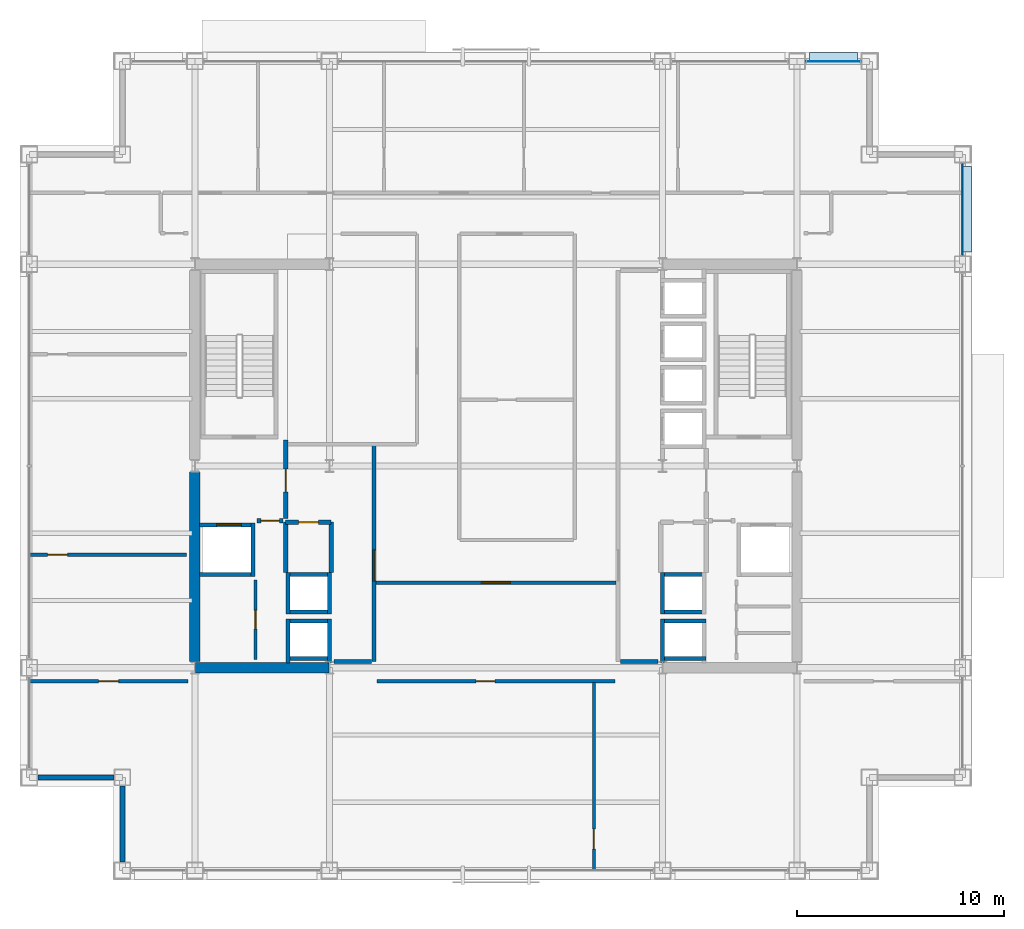
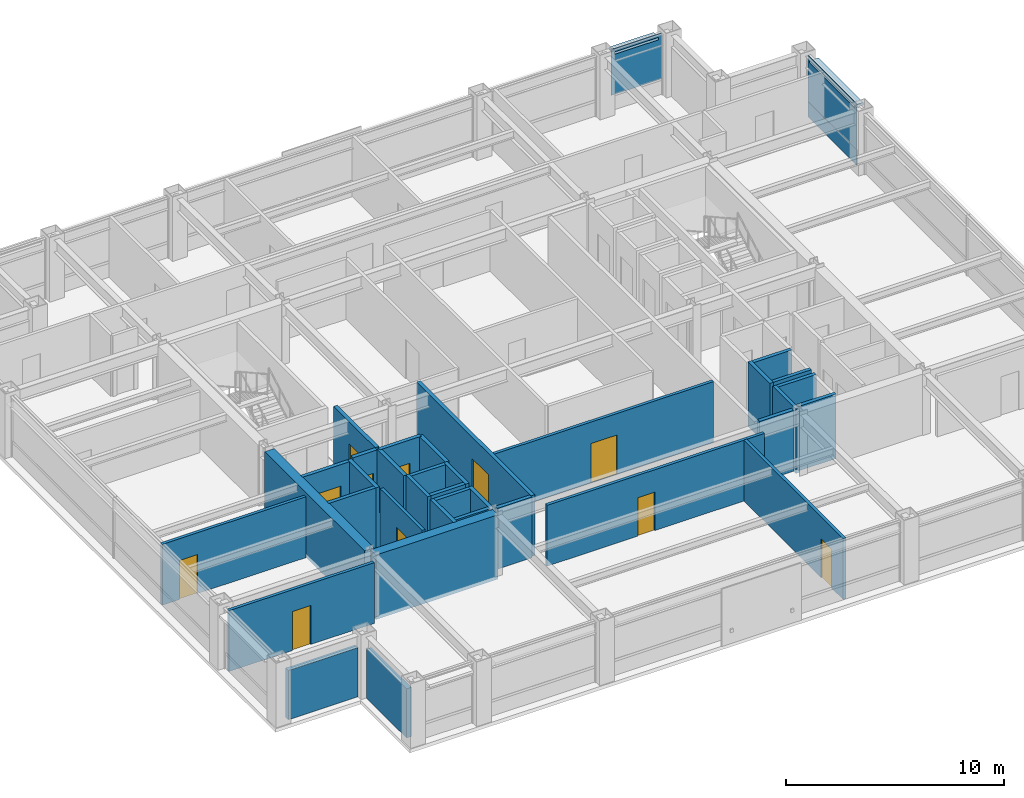
# One storey, part 24 of 28: 35 walls, 11 doors, 5 plates, 11 openings, 2 elements without a shape of their own.
"""IFC4 building model written with IfcOpenShell, lengths in metres."""

import ifcopenshell
import ifcopenshell.guid

model = None  # the IFC model being written
_history = None  # IfcOwnerHistory: only IFC2X3 demands one
_inside = {}  # id of a spatial element -> (the spatial element, [elements in it])
_under = {}  # id of a project, library or spatial element -> (it, [spatial elements below it])
_declared = {}  # id of a project -> (the project, [libraries it declares])
_typed = {}  # id of a type object -> (the type object, [elements of that type])
_made_of = {}  # id of a material, layer set ... -> (it, [elements and type objects made of it])


def new_model(schema):
    """Start an empty IFC model of exactly this schema.

    Asked for "IFC4X3", IfcOpenShell would pick the latest addendum, in which some entities
    have other attributes; the version numbers below select the first issue.
    IFC2X3 requires an IfcOwnerHistory on every rooted entity: one is made here for all.
    """
    global model, _history
    if schema == "IFC4X3":
        model = ifcopenshell.file(schema_version=(4, 3, 0, 0))
    else:
        model = ifcopenshell.file(schema=schema)
    _inside.clear()
    _under.clear()
    _declared.clear()
    _typed.clear()
    _made_of.clear()
    _history = None
    if model.schema == "IFC2X3":
        org = make("IfcOrganization", Name="unknown")
        user = make(
            "IfcPersonAndOrganization",
            ThePerson=make("IfcPerson", FamilyName="unknown"),
            TheOrganization=org,
        )
        app = make(
            "IfcApplication",
            ApplicationDeveloper=org,
            Version="unknown",
            ApplicationFullName="unknown",
            ApplicationIdentifier="unknown",
        )
        _history = make(
            "IfcOwnerHistory",
            OwningUser=user,
            OwningApplication=app,
            ChangeAction="ADDED",
            CreationDate=0,
        )
    return model


def make(cls, **values):
    """One entity of the class cls with the attributes given. An attribute that is None is left unset."""
    return model.create_entity(
        cls, **{name: value for name, value in values.items() if value is not None}
    )


def rooted(cls, **values):
    """An entity with a GlobalId (a new one), such as an element, a storey or a relation."""
    return make(cls, GlobalId=ifcopenshell.guid.new(), OwnerHistory=_history, **values)


def si_unit(unit_type, name, prefix=None):
    """IfcSIUnit, for example si_unit("LENGTHUNIT", "METRE", prefix="MILLI")."""
    return make("IfcSIUnit", UnitType=unit_type, Prefix=prefix, Name=name)


def assignment(units):
    """IfcUnitAssignment: the units of a project."""
    return None if units is None else make("IfcUnitAssignment", Units=units)


def point(xyz):
    """IfcCartesianPoint."""
    return None if xyz is None else make("IfcCartesianPoint", Coordinates=xyz)


def direction(xyz):
    """IfcDirection."""
    return None if xyz is None else make("IfcDirection", DirectionRatios=xyz)


def frame(location, z_axis=None, x_axis=None):
    """IfcAxis2Placement3D, a coordinate frame: its origin and axes. An axis left out is left unset."""
    return make(
        "IfcAxis2Placement3D",
        Location=point(location),
        Axis=direction(z_axis),
        RefDirection=direction(x_axis),
    )


def frame_2d(location, x_axis=None):
    """IfcAxis2Placement2D, a coordinate frame in the plane: its origin and x axis."""
    return make(
        "IfcAxis2Placement2D", Location=point(location), RefDirection=direction(x_axis)
    )


def origin():
    """The frame at (0, 0, 0) with its axes left unset."""
    return frame((0.0, 0.0, 0.0))


def origin_2d():
    """The frame at (0, 0) in the plane with its x axis left unset."""
    return frame_2d((0.0, 0.0))


def place(relative_to, where):
    """IfcLocalPlacement: puts the frame where relative to a parent placement (None: the world)."""
    return make(
        "IfcLocalPlacement", PlacementRelTo=relative_to, RelativePlacement=where
    )


def context(
    kind, dimensions, precision=None, world=None, true_north=None, identifier=None
):
    """IfcGeometricRepresentationContext, for example the 3D "Model" context."""
    return make(
        "IfcGeometricRepresentationContext",
        ContextIdentifier=identifier,
        ContextType=kind,
        CoordinateSpaceDimension=dimensions,
        Precision=precision,
        WorldCoordinateSystem=world,
        TrueNorth=true_north,
    )


def subcontext(parent, identifier, kind, view, scale=None):
    """IfcGeometricRepresentationSubContext, for example "Body" below "Model"."""
    return make(
        "IfcGeometricRepresentationSubContext",
        ContextIdentifier=identifier,
        ContextType=kind,
        ParentContext=parent,
        TargetScale=scale,
        TargetView=view,
    )


def project(units=None, contexts=None):
    """IfcProject with its units and contexts."""
    return rooted(
        "IfcProject",
        Name="project",
        RepresentationContexts=contexts,
        UnitsInContext=assignment(units),
    )


def spatial(cls, under=None, at=None, **own):
    """A site, building, storey or space (cls), placed at a placement, below another one or the project."""
    s = rooted(cls, ObjectPlacement=at, **own)
    if under is not None:
        _under.setdefault(under.id(), (under, []))[1].append(s)
    return s


def profile(cls, at=None, kind="AREA", **sizes):
    """A parametric profile (cls). Its sizes go by their IFC names, for example OverallWidth=200.0."""
    return make(cls, ProfileType=kind, Position=at, **sizes)


def rectangle(**sizes):
    """IfcRectangleProfileDef."""
    return profile("IfcRectangleProfileDef", **sizes)


def extrude(swept, where, along, depth):
    """IfcExtrudedAreaSolid: the profile swept, set in the frame where, extruded along a direction by depth."""
    return make(
        "IfcExtrudedAreaSolid",
        SweptArea=swept,
        Position=where,
        ExtrudedDirection=direction(along),
        Depth=depth,
    )


def shape(context_of_items, identifier, shape_type, items):
    """IfcShapeRepresentation: the items that make up one representation, for example the "Body"."""
    return make(
        "IfcShapeRepresentation",
        ContextOfItems=context_of_items,
        RepresentationIdentifier=identifier,
        RepresentationType=shape_type,
        Items=items,
    )


def material(Name=None, Category=None):
    """IfcMaterial."""
    return make("IfcMaterial", Name=Name, Category=Category)


def layer(
    of_material, thickness, ventilated=None, Name=None, Category=None, Priority=None
):
    """IfcMaterialLayer: one layer of a wall or slab, of a material (None: an air gap)."""
    return make(
        "IfcMaterialLayer",
        Material=of_material,
        LayerThickness=thickness,
        IsVentilated=ventilated,
        Name=Name,
        Category=Category,
        Priority=Priority,
    )


def layer_set(layers, Name=None):
    """IfcMaterialLayerSet."""
    return make("IfcMaterialLayerSet", MaterialLayers=layers, LayerSetName=Name)


def made_of(thing, what):
    """Note that an element or type object is made of a material, layer set ...; save() writes the relation."""
    if what is not None:
        _made_of.setdefault(what.id(), (what, []))[1].append(thing)
    return thing


def type_object(cls, material=None, **own):
    """A type object (cls), such as IfcWallType, which elements share."""
    return made_of(rooted(cls, **own), material)


def element(
    cls,
    number,
    at=None,
    inside=None,
    cuts=None,
    type_object=None,
    material=None,
    context=None,
    identifier="Body",
    shape_type=None,
    held_by="IfcProductDefinitionShape",
    body=None,
    shapes=None,
    **own,
):
    """One element of the class cls, such as IfcWall. Its Tag is "e" and its number.

    at: its placement. inside: the storey or other place that contains it. cuts: it is an
    opening in that element (IfcRelVoidsElement). A single representation is given by context,
    identifier, shape_type and body (its items); several are given by shapes. held_by: the class
    of the entity that holds the representations. save() writes the other relations.
    """
    e = rooted(cls, Tag="e%d" % number, ObjectPlacement=at, **own)
    if body is not None:
        shapes = [shape(context, identifier, shape_type, body)]
    if shapes is not None:
        e.Representation = make(held_by, Representations=shapes)
    if inside is not None:
        _inside.setdefault(inside.id(), (inside, []))[1].append(e)
    if cuts is not None:
        rooted(
            "IfcRelVoidsElement", RelatingBuildingElement=cuts, RelatedOpeningElement=e
        )
    if type_object is not None:
        _typed.setdefault(type_object.id(), (type_object, []))[1].append(e)
    return made_of(e, material)


def fill(opening, filler):
    """IfcRelFillsElement: the door or window that sits in an opening."""
    return rooted(
        "IfcRelFillsElement",
        RelatingOpeningElement=opening,
        RelatedBuildingElement=filler,
    )


def aggregate(whole, parts):
    """IfcRelAggregates: a whole, such as a stair, and the parts it consists of."""
    return rooted("IfcRelAggregates", RelatingObject=whole, RelatedObjects=parts)


def save(model, path):
    """Write the relations noted so far, then the file.

    IfcRelAggregates (storeys below a building ...), IfcRelContainedInSpatialStructure (elements
    in a storey), IfcRelDefinesByType, IfcRelAssociatesMaterial and IfcRelDeclares: one each for
    every whole, place, type object, material and project.
    """
    for whole, parts in _under.values():
        aggregate(whole, parts)
    for where, things in _inside.values():
        rooted(
            "IfcRelContainedInSpatialStructure",
            RelatedElements=things,
            RelatingStructure=where,
        )
    for kind, things in _typed.values():
        rooted("IfcRelDefinesByType", RelatedObjects=things, RelatingType=kind)
    for what, things in _made_of.values():
        rooted("IfcRelAssociatesMaterial", RelatedObjects=things, RelatingMaterial=what)
    for by, libraries in _declared.values():
        rooted("IfcRelDeclares", RelatingContext=by, RelatedDefinitions=libraries)
    model.write(path)


model = new_model("IFC4")

# Units and contexts
model_context = context("Model", 3, precision=1e-05, world=origin(), true_north=direction((0.0, 1.0)))
body_context = subcontext(model_context, "Body", "Model", "MODEL_VIEW")
ifc_project = project(units=[si_unit("LENGTHUNIT", "METRE"), si_unit("AREAUNIT", "SQUARE_METRE"), si_unit("VOLUMEUNIT", "CUBIC_METRE"), si_unit("PLANEANGLEUNIT", "RADIAN"), si_unit("MASSUNIT", "GRAM", prefix="KILO")], contexts=[model_context])

# Site, building, storey
site_placement = place(None, origin())
site = spatial("IfcSite", under=ifc_project, at=site_placement, CompositionType="ELEMENT")
building_placement = place(site_placement, origin())
building = spatial("IfcBuilding", under=site, at=building_placement, Name="Brelmoor Portico Tower", CompositionType="ELEMENT")
storey_placement = place(building_placement, frame((0.0, 0.0, 142.199951171875)))
storey = spatial("IfcBuildingStorey", under=building, at=storey_placement, Name="L37", CompositionType="ELEMENT", Elevation=142.199951171875)

# Curtain wall, plate
ifc_material_1 = material(Name="Anodised Aluminium Alloy 6063-T6", Category="aluminium")
ifc_layer_1 = layer(ifc_material_1, 0.179931640625)
ifc_layer_set_1 = layer_set([ifc_layer_1], Name="Anodised Aluminium Alloy 6063-T6")
curtain_wall_type = type_object("IfcCurtainWallType", Name="CW-TOWER-Z2", PredefinedType="NOTDEFINED", material=ifc_layer_set_1)
curtain_wall_1_placement = place(storey_placement, origin())
curtain_wall_1 = element("IfcCurtainWall", 1, at=curtain_wall_1_placement, inside=storey, type_object=curtain_wall_type, Name="L37 Curtain Wall CW-L37-02-5", PredefinedType="NOTDEFINED")
ifc_material_2 = material(Name="Double-Silver Low-E Insulated Glazing", Category="glass")
ifc_layer_2 = layer(ifc_material_2, 0.035888671875)
ifc_layer_set_2 = layer_set([ifc_layer_2], Name="Double-Silver Low-E Insulated Glazing")
plate_type_1 = type_object("IfcPlateType", Name="PT-CW-GLASS", PredefinedType="CURTAIN_PANEL", material=ifc_layer_set_2)
plate_1_placement = place(storey_placement, frame((16.300048828125, 19.550048828125, 0.85009765625), z_axis=(0.0, 0.0, 1.0), x_axis=(1.0, 0.0, 0.0)))
plate_1 = element("IfcPlate", 2, at=plate_1_placement, type_object=plate_type_1, Name="CW-L37-02-5 Vision Glass Panel 00", PredefinedType="CURTAIN_PANEL", context=body_context, shape_type="SweptSolid", body=[
    extrude(rectangle(XDim=2.64990234375, YDim=0.035888671875, at=origin_2d()), origin(), (0.0, 0.0, 1.0), 2.550048828125),
])
aggregate(curtain_wall_1, [plate_1])

# Curtain wall, plates
curtain_wall_2_placement = place(storey_placement, origin())
curtain_wall_2 = element("IfcCurtainWall", 3, at=curtain_wall_2_placement, inside=storey, type_object=curtain_wall_type, Name="L37 Curtain Wall CW-L37-04-3", PredefinedType="NOTDEFINED")
plate_2_placement = place(storey_placement, frame((22.550048828125, 12.39990234375, 0.85009765625), z_axis=(0.0, 0.0, 1.0), x_axis=(0.0, 1.0, 0.0)))
plate_2 = element("IfcPlate", 4, at=plate_2_placement, type_object=plate_type_1, Name="CW-L37-04-3 Vision Glass Panel 00", PredefinedType="CURTAIN_PANEL", context=body_context, shape_type="SweptSolid", body=[
    extrude(rectangle(XDim=4.449951171875, YDim=0.035888671875, at=origin_2d()), origin(), (0.0, 0.0, 1.0), 2.550048828125),
])
ifc_material_3 = material(Name="Pale Champagne Anodised Aluminium Panel", Category="aluminium")
ifc_layer_3 = layer(ifc_material_3, 0.050048828125)
ifc_layer_set_3 = layer_set([ifc_layer_3], Name="Pale Champagne Anodised Aluminium Panel")
plate_type_2 = type_object("IfcPlateType", Name="PT-CW-SPANDREL", PredefinedType="SHEET", material=ifc_layer_set_3)
plate_3_placement = place(storey_placement, frame((22.550048828125, 12.39990234375, 0.0), z_axis=(0.0, 0.0, 1.0), x_axis=(0.0, 1.0, 0.0)))
plate_3 = element("IfcPlate", 5, at=plate_3_placement, type_object=plate_type_2, Name="CW-L37-04-3 Spandrel Panel 00", PredefinedType="SHEET", context=body_context, shape_type="SweptSolid", body=[
    extrude(rectangle(XDim=4.449951171875, YDim=0.050048828125, at=origin_2d()), origin(), (0.0, 0.0, 1.0), 0.85009765625),
])
aggregate(curtain_wall_2, [plate_3, plate_2])

# Plates
ifc_material_4 = material(Name="Pale Champagne Perforated Aluminium Solar Screen", Category="aluminium")
ifc_layer_4 = layer(ifc_material_4, 0.054931640625)
ifc_layer_set_4 = layer_set([ifc_layer_4], Name="Pale Champagne Perforated Aluminium Solar Screen")
plate_type_3 = type_object("IfcPlateType", Name="PT-SOLAR-LOUVRE", PredefinedType="SHEET", material=ifc_layer_set_4)
plate_4_placement = place(storey_placement, frame((16.300048828125, 19.760009765625, 3.09033203125), z_axis=(0.0, 0.0, 1.0), x_axis=(1.0, 0.0, 0.0)))
element("IfcPlate", 6, at=plate_4_placement, inside=storey, type_object=plate_type_3, Name="CW-L37-02-5 Caribbean Brise-Soleil Solar Screen", PredefinedType="SHEET", context=body_context, shape_type="SweptSolid", body=[
    extrude(rectangle(XDim=2.320068359375, YDim=0.4599609375, at=origin_2d()), origin(), (0.0, 0.0, 1.0), 0.139892578125),
])
plate_5_placement = place(storey_placement, frame((22.760009765625, 12.39990234375, 3.09033203125), z_axis=(0.0, 0.0, 1.0), x_axis=(0.0, 1.0, 0.0)))
element("IfcPlate", 7, at=plate_5_placement, inside=storey, type_object=plate_type_3, Name="CW-L37-04-3 Caribbean Brise-Soleil Solar Screen", PredefinedType="SHEET", context=body_context, shape_type="SweptSolid", body=[
    extrude(rectangle(XDim=4.1201171875, YDim=0.4599609375, at=origin_2d()), origin(), (0.0, 0.0, 1.0), 0.139892578125),
])

# Walls
ifc_material_5 = material(Name="Concrete C60", Category="concrete")
ifc_layer_5 = layer(ifc_material_5, 0.5)
ifc_layer_set_5 = layer_set([ifc_layer_5], Name="Concrete C60")
wall_type_1 = type_object("IfcWallType", Name="WL-CORE-500", PredefinedType="SHEAR", material=ifc_layer_set_5)
wall_1_placement = place(storey_placement, frame((-14.530029296875, -9.75, -0.199951171875), z_axis=(0.0, 0.0, 1.0), x_axis=(1.0, 0.0, 0.0)))
element("IfcWall", 8, at=wall_1_placement, inside=storey, type_object=wall_type_1, Name="L37 WC South Shear Wall", PredefinedType="SHEAR", context=body_context, shape_type="SweptSolid", body=[
    extrude(rectangle(XDim=6.4599609375, YDim=0.5, at=frame_2d((3.22998046875, 0.0))), origin(), (0.0, 0.0, 1.0), 3.60009765625),
])
wall_2_placement = place(storey_placement, frame((-14.550048828125, -9.449951171875, -0.199951171875), z_axis=(0.0, 0.0, 1.0), x_axis=(0.0, 1.0, 0.0)))
element("IfcWall", 9, at=wall_2_placement, inside=storey, type_object=wall_type_1, Name="L37 WC Outer South Shear Wall", PredefinedType="SHEAR", context=body_context, shape_type="SweptSolid", body=[
    extrude(rectangle(XDim=9.14990234375, YDim=0.5, at=frame_2d((4.574951171875, 0.0))), origin(), (0.0, 0.0, 1.0), 3.60009765625),
])
ifc_material_6 = material(Name="Precast Concrete C40 Insulated Facade Wall", Category="concrete")
ifc_layer_6 = layer(ifc_material_6, 0.25)
ifc_layer_set_6 = layer_set([ifc_layer_6], Name="Precast Concrete C40 Insulated Facade Wall")
wall_type_2 = type_object("IfcWallType", Name="WL-EXT-250", PredefinedType="STANDARD", material=ifc_layer_set_6)
for number, where, z_axis, x_axis, name in (
    (10, (-22.139892578125, -15.050048828125, 0.0), (0.0, 0.0, 1.0), (1.0, 0.0, 0.0), "L37 Corner Notch Facade Wall NSWH1"),
    (11, (-18.050048828125, -19.139892578125, 0.0), (0.0, 0.0, 1.0), (0.0, 1.0, 0.0), "L37 Corner Notch Facade Wall NSWV1"),
):
    element("IfcWall", number, at=place(storey_placement, frame(where, z_axis=z_axis, x_axis=x_axis)), inside=storey, type_object=wall_type_2, Name=name, PredefinedType="STANDARD", context=body_context, shape_type="SweptSolid", body=[
        extrude(rectangle(XDim=3.679931640625, YDim=0.25, at=frame_2d((1.83984375, 0.0))), origin(), (0.0, 0.0, 1.0), 2.75),
    ])

# Wall, opening, door
ifc_material_7 = material(Name="Twin-Frame Acoustic Partition", Category="gypsum")
ifc_layer_7 = layer(ifc_material_7, 0.159912109375)
ifc_layer_set_7 = layer_set([ifc_layer_7], Name="Twin-Frame Acoustic Partition")
wall_type_3 = type_object("IfcWallType", Name="WL-PART-160", PredefinedType="PARTITIONING", material=ifc_layer_set_7)
wall_3_placement = place(storey_placement, frame((-11.6201171875, -9.35009765625, 0.0), z_axis=(0.0, 0.0, 1.0), x_axis=(0.0, 1.0, 0.0)))
wall_3 = element("IfcWall", 12, at=wall_3_placement, inside=storey, type_object=wall_type_3, Name="L37 W Core Service Front Wall", PredefinedType="PARTITIONING", context=body_context, shape_type="SweptSolid", body=[
    extrude(rectangle(XDim=3.85009765625, YDim=0.159912109375, at=frame_2d((1.925048828125, 0.0))), origin(), (0.0, 0.0, 1.0), 3.400146484375),
])
opening_1_placement = place(wall_3_placement, frame((1.47509765625, 0.0, 0.0)))
opening_1 = element("IfcOpeningElement", 13, at=opening_1_placement, cuts=wall_3, Name="Opening D-IN1", PredefinedType="OPENING", context=body_context, shape_type="SweptSolid", body=[
    extrude(rectangle(XDim=0.89990234375, YDim=2.14990234375, at=frame_2d((0.449951171875, 1.074951171875))), frame((0.0, 0.08984375, 0.0), z_axis=(0.0, -1.0, 0.0), x_axis=(1.0, 0.0, 0.0)), (0.0, 0.0, 1.0), 0.179931640625),
])
ifc_material_8 = material(Name="Lacquered Timber Suite Door", Category="wood")
door_type_1 = type_object("IfcDoorType", Name="DR-INT-900", OperationType="NOTDEFINED", PredefinedType="DOOR", material=ifc_material_8)
door_1_placement = place(opening_1_placement, origin())
door_1 = element("IfcDoor", 14, at=door_1_placement, inside=storey, type_object=door_type_1, Name="D-1608 L37 W Accessible WC Door", OperationType="SINGLE_SWING_RIGHT", OverallHeight=2.14990234375, OverallWidth=0.89990234375, PredefinedType="DOOR", context=body_context, shape_type="SweptSolid", body=[
    extrude(rectangle(XDim=0.89990234375, YDim=2.14990234375, at=frame_2d((0.449951171875, 1.074951171875))), frame((0.0, 0.02490234375, 0.0), z_axis=(0.0, -1.0, 0.0), x_axis=(1.0, 0.0, 0.0)), (0.0, 0.0, 1.0), 0.050048828125),
])
fill(opening_1, door_1)

wall_4_placement = place(storey_placement, frame((-5.800048828125, -5.64990234375, 0.0), z_axis=(0.0, 0.0, 1.0), x_axis=(1.0, 0.0, 0.0)))
wall_4 = element("IfcWall", 15, at=wall_4_placement, inside=storey, type_object=wall_type_3, Name="L37 South Hub Corridor Wall", PredefinedType="PARTITIONING", context=body_context, shape_type="SweptSolid", body=[
    extrude(rectangle(XDim=11.60009765625, YDim=0.159912109375, at=frame_2d((5.800048828125, 0.0))), origin(), (0.0, 0.0, 1.0), 3.400146484375),
])
opening_2_placement = place(wall_4_placement, frame((5.10009765625, 0.0, 0.0)))
opening_2 = element("IfcOpeningElement", 16, at=opening_2_placement, cuts=wall_4, Name="Opening D-SU2", PredefinedType="OPENING", context=body_context, shape_type="SweptSolid", body=[
    extrude(rectangle(XDim=1.39990234375, YDim=2.199951171875, at=frame_2d((0.699951171875, 1.10009765625))), frame((0.0, 0.08984375, 0.0), z_axis=(0.0, -1.0, 0.0), x_axis=(1.0, 0.0, 0.0)), (0.0, 0.0, 1.0), 0.179931640625),
])
ifc_material_9 = material(Name="Double-Leaf Acoustic Suite Door", Category="timber")
door_type_2 = type_object("IfcDoorType", Name="DR-SUITE-1400", OperationType="NOTDEFINED", PredefinedType="DOOR", material=ifc_material_9)
door_2_placement = place(opening_2_placement, origin())
door_2 = element("IfcDoor", 17, at=door_2_placement, inside=storey, type_object=door_type_2, Name="D-1600 L37 South Reception Hub Door", OperationType="DOUBLE_DOOR_SINGLE_SWING", OverallHeight=2.199951171875, OverallWidth=1.39990234375, PredefinedType="DOOR", context=body_context, shape_type="SweptSolid", body=[
    extrude(rectangle(XDim=1.39990234375, YDim=2.199951171875, at=frame_2d((0.699951171875, 1.10009765625))), frame((0.0, 0.02490234375, 0.0), z_axis=(0.0, -1.0, 0.0), x_axis=(1.0, 0.0, 0.0)), (0.0, 0.0, 1.0), 0.050048828125),
])
fill(opening_2, door_2)

wall_5_placement = place(storey_placement, frame((4.73486328125, -19.56005859375, 0.0), z_axis=(0.0, 0.0, 1.0), x_axis=(0.0, 1.0, 0.0)))
wall_5 = element("IfcWall", 18, at=wall_5_placement, inside=storey, type_object=wall_type_3, Name="L37 South Suite Partition 1", PredefinedType="PARTITIONING", context=body_context, shape_type="SweptSolid", body=[
    extrude(rectangle(XDim=9.10009765625, YDim=0.159912109375, at=frame_2d((4.550048828125, 0.0))), origin(), (0.0, 0.0, 1.0), 3.400146484375),
])
opening_3_placement = place(wall_5_placement, frame((1.050048828125, 0.0, 0.0)))
opening_3 = element("IfcOpeningElement", 19, at=opening_3_placement, cuts=wall_5, Name="Opening D-IN2", PredefinedType="OPENING", context=body_context, shape_type="SweptSolid", body=[
    extrude(rectangle(XDim=0.9599609375, YDim=2.179931640625, at=frame_2d((0.47998046875, 1.08984375))), frame((0.0, 0.08984375, 0.0), z_axis=(0.0, -1.0, 0.0), x_axis=(1.0, 0.0, 0.0)), (0.0, 0.0, 1.0), 0.179931640625),
])
door_type_3 = type_object("IfcDoorType", Name="DR-INT-950", OperationType="NOTDEFINED", PredefinedType="DOOR", material=ifc_material_8)
door_3_placement = place(opening_3_placement, origin())
door_3 = element("IfcDoor", 20, at=door_3_placement, inside=storey, type_object=door_type_3, Name="D-1628 L37 South Suite Connecting Door 1", OperationType="SINGLE_SWING_RIGHT", OverallHeight=2.179931640625, OverallWidth=0.9599609375, PredefinedType="DOOR", context=body_context, shape_type="SweptSolid", body=[
    extrude(rectangle(XDim=0.9599609375, YDim=2.179931640625, at=frame_2d((0.47998046875, 1.08984375))), frame((0.0, 0.02490234375, 0.0), z_axis=(0.0, -1.0, 0.0), x_axis=(1.0, 0.0, 0.0)), (0.0, 0.0, 1.0), 0.050048828125),
])
fill(opening_3, door_3)

wall_6_placement = place(storey_placement, frame((-5.75, -10.39990234375, 0.0), z_axis=(0.0, 0.0, 1.0), x_axis=(1.0, 0.0, 0.0)))
wall_6 = element("IfcWall", 21, at=wall_6_placement, inside=storey, type_object=wall_type_3, Name="L37 South Corridor Partition", PredefinedType="PARTITIONING", context=body_context, shape_type="SweptSolid", body=[
    extrude(rectangle(XDim=11.5, YDim=0.159912109375, at=frame_2d((5.75, 0.0))), origin(), (0.0, 0.0, 1.0), 3.400146484375),
])
opening_4_placement = place(wall_6_placement, frame((4.79248046875, 0.0, 0.0)))
opening_4 = element("IfcOpeningElement", 22, at=opening_4_placement, cuts=wall_6, Name="Opening D-IN1", PredefinedType="OPENING", context=body_context, shape_type="SweptSolid", body=[
    extrude(rectangle(XDim=0.89990234375, YDim=2.14990234375, at=frame_2d((0.449951171875, 1.074951171875))), frame((0.0, 0.08984375, 0.0), z_axis=(0.0, -1.0, 0.0), x_axis=(1.0, 0.0, 0.0)), (0.0, 0.0, 1.0), 0.179931640625),
])
door_4_placement = place(opening_4_placement, origin())
door_4 = element("IfcDoor", 23, at=door_4_placement, inside=storey, type_object=door_type_1, Name="D-1627 L37 South Open-Plan Office 1 Door", OperationType="SINGLE_SWING_LEFT", OverallHeight=2.14990234375, OverallWidth=0.89990234375, PredefinedType="DOOR", context=body_context, shape_type="SweptSolid", body=[
    extrude(rectangle(XDim=0.89990234375, YDim=2.14990234375, at=frame_2d((0.449951171875, 1.074951171875))), frame((0.0, 0.02490234375, 0.0), z_axis=(0.0, -1.0, 0.0), x_axis=(1.0, 0.0, 0.0)), (0.0, 0.0, 1.0), 0.050048828125),
])
fill(opening_4, door_4)

wall_7_placement = place(storey_placement, frame((-22.56005859375, -10.39990234375, 0.0), z_axis=(0.0, 0.0, 1.0), x_axis=(1.0, 0.0, 0.0)))
wall_7 = element("IfcWall", 24, at=wall_7_placement, inside=storey, type_object=wall_type_3, Name="L37 South Wing Closure WL", PredefinedType="PARTITIONING", context=body_context, shape_type="SweptSolid", body=[
    extrude(rectangle(XDim=7.68017578125, YDim=0.159912109375, at=frame_2d((3.840087890625, 0.0))), origin(), (0.0, 0.0, 1.0), 3.400146484375),
])
opening_5_placement = place(wall_7_placement, frame((3.360107421875, 0.0, 0.0)))
opening_5 = element("IfcOpeningElement", 25, at=opening_5_placement, cuts=wall_7, Name="Opening D-IN2", PredefinedType="OPENING", context=body_context, shape_type="SweptSolid", body=[
    extrude(rectangle(XDim=0.9599609375, YDim=2.179931640625, at=frame_2d((0.47998046875, 1.08984375))), frame((0.0, 0.08984375, 0.0), z_axis=(0.0, -1.0, 0.0), x_axis=(1.0, 0.0, 0.0)), (0.0, 0.0, 1.0), 0.179931640625),
])
door_5_placement = place(opening_5_placement, origin())
door_5 = element("IfcDoor", 26, at=door_5_placement, inside=storey, type_object=door_type_3, Name="D-1632 L37 WL Wing South Suite Door", OperationType="SINGLE_SWING_RIGHT", OverallHeight=2.179931640625, OverallWidth=0.9599609375, PredefinedType="DOOR", context=body_context, shape_type="SweptSolid", body=[
    extrude(rectangle(XDim=0.9599609375, YDim=2.179931640625, at=frame_2d((0.47998046875, 1.08984375))), frame((0.0, 0.02490234375, 0.0), z_axis=(0.0, -1.0, 0.0), x_axis=(1.0, 0.0, 0.0)), (0.0, 0.0, 1.0), 0.050048828125),
])
fill(opening_5, door_5)

wall_8_placement = place(storey_placement, frame((-22.56005859375, -4.288818359375, 0.0), z_axis=(0.0, 0.0, 1.0), x_axis=(1.0, 0.0, 0.0)))
wall_8 = element("IfcWall", 27, at=wall_8_placement, inside=storey, type_object=wall_type_3, Name="L37 W Wing Partition 1", PredefinedType="PARTITIONING", context=body_context, shape_type="SweptSolid", body=[
    extrude(rectangle(XDim=7.60009765625, YDim=0.159912109375, at=frame_2d((3.800048828125, 0.0))), origin(), (0.0, 0.0, 1.0), 3.400146484375),
])
opening_6_placement = place(wall_8_placement, frame((0.89990234375, 0.0, 0.0)))
opening_6 = element("IfcOpeningElement", 28, at=opening_6_placement, cuts=wall_8, Name="Opening D-IN2", PredefinedType="OPENING", context=body_context, shape_type="SweptSolid", body=[
    extrude(rectangle(XDim=0.9599609375, YDim=2.179931640625, at=frame_2d((0.47998046875, 1.08984375))), frame((0.0, 0.08984375, 0.0), z_axis=(0.0, -1.0, 0.0), x_axis=(1.0, 0.0, 0.0)), (0.0, 0.0, 1.0), 0.179931640625),
])
door_6_placement = place(opening_6_placement, origin())
door_6 = element("IfcDoor", 29, at=door_6_placement, inside=storey, type_object=door_type_3, Name="D-1635 L37 W Wing Suite Connecting Door 1", OperationType="SINGLE_SWING_LEFT", OverallHeight=2.179931640625, OverallWidth=0.9599609375, PredefinedType="DOOR", context=body_context, shape_type="SweptSolid", body=[
    extrude(rectangle(XDim=0.9599609375, YDim=2.179931640625, at=frame_2d((0.47998046875, 1.08984375))), frame((0.0, 0.02490234375, 0.0), z_axis=(0.0, -1.0, 0.0), x_axis=(1.0, 0.0, 0.0)), (0.0, 0.0, 1.0), 0.050048828125),
])
fill(opening_6, door_6)

ifc_material_10 = material(Name="Double-Stud Gypsum Fire Partition", Category="gypsum")
ifc_layer_8 = layer(ifc_material_10, 0.199951171875)
ifc_layer_set_8 = layer_set([ifc_layer_8], Name="Double-Stud Gypsum Fire Partition")
wall_type_4 = type_object("IfcWallType", Name="WL-PART-200", PredefinedType="PARTITIONING", material=ifc_layer_set_8)
wall_9_placement = place(storey_placement, frame((-5.89990234375, -9.449951171875, 0.0), z_axis=(0.0, 0.0, 1.0), x_axis=(0.0, 1.0, 0.0)))
wall_9 = element("IfcWall", 30, at=wall_9_placement, inside=storey, type_object=wall_type_4, Name="L37 W Core Lobby Compartment Wall", PredefinedType="PARTITIONING", context=body_context, shape_type="SweptSolid", body=[
    extrude(rectangle(XDim=10.5, YDim=0.199951171875, at=frame_2d((5.25, 0.0))), origin(), (0.0, 0.0, 1.0), 3.400146484375),
])
opening_7_placement = place(wall_9_placement, frame((3.89990234375, 0.0, 0.0)))
opening_7 = element("IfcOpeningElement", 31, at=opening_7_placement, cuts=wall_9, Name="Opening D-LB1", PredefinedType="OPENING", context=body_context, shape_type="SweptSolid", body=[
    extrude(rectangle(XDim=1.5, YDim=2.199951171875, at=frame_2d((0.75, 1.10009765625))), frame((0.0, 0.10986328125, 0.0), z_axis=(0.0, -1.0, 0.0), x_axis=(1.0, 0.0, 0.0)), (0.0, 0.0, 1.0), 0.219970703125),
])
ifc_material_11 = material(Name="Double-Leaf Glazed Steel Fire Door", Category="steel")
door_type_4 = type_object("IfcDoorType", Name="DR-LOBBY-1500", OperationType="NOTDEFINED", PredefinedType="DOOR", material=ifc_material_11)
door_7_placement = place(opening_7_placement, origin())
door_7 = element("IfcDoor", 32, at=door_7_placement, inside=storey, type_object=door_type_4, Name="D-1614 L37 W Lift Lobby Main Door", OperationType="DOUBLE_DOOR_SINGLE_SWING", OverallHeight=2.199951171875, OverallWidth=1.5, PredefinedType="DOOR", context=body_context, shape_type="SweptSolid", body=[
    extrude(rectangle(XDim=1.5, YDim=2.199951171875, at=frame_2d((0.75, 1.10009765625))), frame((0.0, 0.02490234375, 0.0), z_axis=(0.0, -1.0, 0.0), x_axis=(1.0, 0.0, 0.0)), (0.0, 0.0, 1.0), 0.050048828125),
])
fill(opening_7, door_7)

# Wall
wall_10_placement = place(storey_placement, frame((-6.02001953125, -9.449951171875, 0.0), z_axis=(0.0, 0.0, 1.0), x_axis=(-1.0, 0.0, 0.0)))
element("IfcWall", 33, at=wall_10_placement, inside=storey, type_object=wall_type_4, Name="L37 W Lift Lobby South End Wall", PredefinedType="PARTITIONING", context=body_context, shape_type="SweptSolid", body=[
    extrude(rectangle(XDim=1.800048828125, YDim=0.199951171875, at=frame_2d((0.89990234375, 0.0))), origin(), (0.0, 0.0, 1.0), 3.400146484375),
])

# Wall, opening, door
wall_11_placement = place(storey_placement, frame((-10.159912109375, -2.550048828125, 0.0), z_axis=(0.0, 0.0, 1.0), x_axis=(0.0, 1.0, 0.0)))
wall_11 = element("IfcWall", 34, at=wall_11_placement, inside=storey, type_object=wall_type_4, Name="L37 W Firefighting Lobby Wall", PredefinedType="PARTITIONING", context=body_context, shape_type="SweptSolid", body=[
    extrude(rectangle(XDim=3.800048828125, YDim=0.199951171875, at=frame_2d((1.89990234375, 0.0))), origin(), (0.0, 0.0, 1.0), 3.400146484375),
])
opening_8_placement = place(wall_11_placement, frame((1.300048828125, 0.0, 0.0)))
opening_8 = element("IfcOpeningElement", 35, at=opening_8_placement, cuts=wall_11, Name="Opening D-FR1", PredefinedType="OPENING", context=body_context, shape_type="SweptSolid", body=[
    extrude(rectangle(XDim=1.10009765625, YDim=2.14990234375, at=frame_2d((0.550048828125, 1.074951171875))), frame((0.0, 0.10986328125, 0.0), z_axis=(0.0, -1.0, 0.0), x_axis=(1.0, 0.0, 0.0)), (0.0, 0.0, 1.0), 0.219970703125),
])
ifc_material_12 = material(Name="Painted Galvanised Steel Fire Door", Category="steel")
door_type_5 = type_object("IfcDoorType", Name="DR-FIRE-1100", OperationType="NOTDEFINED", PredefinedType="DOOR", material=ifc_material_12)
door_8_placement = place(opening_8_placement, origin())
door_8 = element("IfcDoor", 36, at=door_8_placement, inside=storey, type_object=door_type_5, Name="D-1612 L37 W Firefighting Lobby Door", OperationType="SINGLE_SWING_LEFT", OverallHeight=2.14990234375, OverallWidth=1.10009765625, PredefinedType="DOOR", context=body_context, shape_type="SweptSolid", body=[
    extrude(rectangle(XDim=1.10009765625, YDim=2.14990234375, at=frame_2d((0.550048828125, 1.074951171875))), frame((0.0, 0.02490234375, 0.0), z_axis=(0.0, -1.0, 0.0), x_axis=(1.0, 0.0, 0.0)), (0.0, 0.0, 1.0), 0.050048828125),
])
fill(opening_8, door_8)

wall_12_placement = place(storey_placement, frame((-10.280029296875, -2.64990234375, 0.0), z_axis=(0.0, 0.0, 1.0), x_axis=(-1.0, 0.0, 0.0)))
wall_12 = element("IfcWall", 37, at=wall_12_placement, inside=storey, type_object=wall_type_4, Name="L37 W Firefighting Lobby South Wall", PredefinedType="PARTITIONING", context=body_context, shape_type="SweptSolid", body=[
    extrude(rectangle(XDim=1.27001953125, YDim=0.199951171875, at=frame_2d((0.635009765625, 0.0))), origin(), (0.0, 0.0, 1.0), 3.400146484375),
])
opening_9_placement = place(wall_12_placement, frame((0.18505859375, 0.0, 0.0)))
opening_9 = element("IfcOpeningElement", 38, at=opening_9_placement, cuts=wall_12, Name="Opening D-IN1", PredefinedType="OPENING", context=body_context, shape_type="SweptSolid", body=[
    extrude(rectangle(XDim=0.89990234375, YDim=2.14990234375, at=frame_2d((0.449951171875, 1.074951171875))), frame((0.0, 0.10986328125, 0.0), z_axis=(0.0, -1.0, 0.0), x_axis=(1.0, 0.0, 0.0)), (0.0, 0.0, 1.0), 0.219970703125),
])
door_9_placement = place(opening_9_placement, origin())
door_9 = element("IfcDoor", 39, at=door_9_placement, inside=storey, type_object=door_type_1, Name="D-1607 L37 W Core Service Vestibule Door", OperationType="SINGLE_SWING_RIGHT", OverallHeight=2.14990234375, OverallWidth=0.89990234375, PredefinedType="DOOR", context=body_context, shape_type="SweptSolid", body=[
    extrude(rectangle(XDim=0.89990234375, YDim=2.14990234375, at=frame_2d((0.449951171875, 1.074951171875))), frame((0.0, 0.02490234375, 0.0), z_axis=(0.0, -1.0, 0.0), x_axis=(1.0, 0.0, 0.0)), (0.0, 0.0, 1.0), 0.050048828125),
])
fill(opening_9, door_9)

wall_13_placement = place(storey_placement, frame((-7.9599609375, -2.719970703125, 0.0), z_axis=(0.0, 0.0, 1.0), x_axis=(-1.0, 0.0, 0.0)))
wall_13 = element("IfcWall", 40, at=wall_13_placement, inside=storey, type_object=wall_type_4, Name="L37 W Electrical Switchgear Closet Wall", PredefinedType="PARTITIONING", context=body_context, shape_type="SweptSolid", body=[
    extrude(rectangle(XDim=2.199951171875, YDim=0.199951171875, at=frame_2d((1.10009765625, 0.0))), origin(), (0.0, 0.0, 1.0), 3.400146484375),
])
opening_10_placement = place(wall_13_placement, frame((0.6201171875, 0.0, 0.0)))
opening_10 = element("IfcOpeningElement", 41, at=opening_10_placement, cuts=wall_13, Name="Opening D-FR4", PredefinedType="OPENING", context=body_context, shape_type="SweptSolid", body=[
    extrude(rectangle(XDim=0.949951171875, YDim=2.10009765625, at=frame_2d((0.47509765625, 1.050048828125))), frame((0.0, 0.10986328125, 0.0), z_axis=(0.0, -1.0, 0.0), x_axis=(1.0, 0.0, 0.0)), (0.0, 0.0, 1.0), 0.219970703125),
])
ifc_material_13 = material(Name="Painted Galvanised Steel Riser Door", Category="steel")
door_type_6 = type_object("IfcDoorType", Name="DR-FIRE-950", OperationType="NOTDEFINED", PredefinedType="DOOR", material=ifc_material_13)
door_10_placement = place(opening_10_placement, origin())
door_10 = element("IfcDoor", 42, at=door_10_placement, inside=storey, type_object=door_type_6, Name="D-1610 L37 W Electrical Switchgear Closet Door", OperationType="SINGLE_SWING_LEFT", OverallHeight=2.10009765625, OverallWidth=0.949951171875, PredefinedType="DOOR", context=body_context, shape_type="SweptSolid", body=[
    extrude(rectangle(XDim=0.949951171875, YDim=2.10009765625, at=frame_2d((0.47509765625, 1.050048828125))), frame((0.0, 0.02490234375, 0.0), z_axis=(0.0, -1.0, 0.0), x_axis=(1.0, 0.0, 0.0)), (0.0, 0.0, 1.0), 0.050048828125),
])
fill(opening_10, door_10)

# Walls
for number, where, z_axis, x_axis, name in (
    (43, (-7.9599609375, -5.159912109375, 0.0), (0.0, 0.0, 1.0), (0.0, 1.0, 0.0), "L37 W Electrical Switchgear Closet Inner Wall"),
    (44, (-10.159912109375, -5.159912109375, 0.0), (0.0, 0.0, 1.0), (0.0, 1.0, 0.0), "L37 W Electrical Switchgear Closet Outer Wall"),
):
    element("IfcWall", number, at=place(storey_placement, frame(where, z_axis=z_axis, x_axis=x_axis)), inside=storey, type_object=wall_type_4, Name=name, PredefinedType="PARTITIONING", context=body_context, shape_type="SweptSolid", body=[
        extrude(rectangle(XDim=2.43994140625, YDim=0.199951171875, at=frame_2d((1.219970703125, 0.0))), origin(), (0.0, 0.0, 1.0), 3.400146484375),
    ])
wall_14_placement = place(storey_placement, frame((6.02001953125, -9.449951171875, 0.0), z_axis=(0.0, 0.0, 1.0), x_axis=(1.0, 0.0, 0.0)))
element("IfcWall", 45, at=wall_14_placement, inside=storey, type_object=wall_type_4, Name="L37 E Lift Lobby South End Wall", PredefinedType="PARTITIONING", context=body_context, shape_type="SweptSolid", body=[
    extrude(rectangle(XDim=1.800048828125, YDim=0.199951171875, at=frame_2d((0.89990234375, 0.0))), origin(), (0.0, 0.0, 1.0), 3.400146484375),
])
ifc_material_14 = material(Name="Precast Concrete C40", Category="concrete")
ifc_layer_9 = layer(ifc_material_14, 0.18994140625)
ifc_layer_set_9 = layer_set([ifc_layer_9], Name="Precast Concrete C40")
wall_type_5 = type_object("IfcWallType", Name="WL-SHAFT-180", PredefinedType="SOLIDWALL", material=ifc_layer_set_9)
for number, where, z_axis, x_axis, name in (
    (46, (-8.044921875, -9.52001953125, -0.199951171875), (0.0, 0.0, 1.0), (0.0, 1.0, 0.0), "L37 Lift PH1 Hoistway Front Wall"),
    (47, (-10.054931640625, -9.52001953125, -0.199951171875), (0.0, 0.0, 1.0), (0.0, 1.0, 0.0), "L37 Lift PH1 Hoistway Back Wall"),
):
    element("IfcWall", number, at=place(storey_placement, frame(where, z_axis=z_axis, x_axis=x_axis)), inside=storey, type_object=wall_type_5, Name=name, PredefinedType="SOLIDWALL", context=body_context, shape_type="SweptSolid", body=[
        extrude(rectangle(XDim=2.1201171875, YDim=0.18994140625, at=frame_2d((1.06005859375, 0.0))), origin(), (0.0, 0.0, 1.0), 3.60009765625),
    ])
for number, where, z_axis, x_axis, name in (
    (48, (-10.14990234375, -7.4951171875, -0.199951171875), (0.0, 0.0, 1.0), (1.0, 0.0, 0.0), "L37 Lift PH1 Hoistway North Wall"),
    (49, (-10.14990234375, -9.304931640625, -0.199951171875), (0.0, 0.0, 1.0), (1.0, 0.0, 0.0), "L37 Lift PH1 Hoistway South Wall"),
):
    element("IfcWall", number, at=place(storey_placement, frame(where, z_axis=z_axis, x_axis=x_axis)), inside=storey, type_object=wall_type_5, Name=name, PredefinedType="SOLIDWALL", context=body_context, shape_type="SweptSolid", body=[
        extrude(rectangle(XDim=2.199951171875, YDim=0.18994140625, at=frame_2d((1.10009765625, 0.0))), origin(), (0.0, 0.0, 1.0), 3.60009765625),
    ])
for number, where, z_axis, x_axis, name in (
    (50, (-8.044921875, -7.14990234375, -0.199951171875), (0.0, 0.0, 1.0), (0.0, 1.0, 0.0), "L37 Lift PH2 Hoistway Front Wall"),
    (51, (-10.054931640625, -7.14990234375, -0.199951171875), (0.0, 0.0, 1.0), (0.0, 1.0, 0.0), "L37 Lift PH2 Hoistway Back Wall"),
):
    element("IfcWall", number, at=place(storey_placement, frame(where, z_axis=z_axis, x_axis=x_axis)), inside=storey, type_object=wall_type_5, Name=name, PredefinedType="SOLIDWALL", context=body_context, shape_type="SweptSolid", body=[
        extrude(rectangle(XDim=2.0, YDim=0.18994140625, at=frame_2d((1.0, 0.0))), origin(), (0.0, 0.0, 1.0), 3.60009765625),
    ])
for number, where, z_axis, x_axis, name in (
    (52, (-10.14990234375, -5.2451171875, -0.199951171875), (0.0, 0.0, 1.0), (1.0, 0.0, 0.0), "L37 Lift PH2 Hoistway North Wall"),
    (53, (-10.14990234375, -7.054931640625, -0.199951171875), (0.0, 0.0, 1.0), (1.0, 0.0, 0.0), "L37 Lift PH2 Hoistway South Wall"),
):
    element("IfcWall", number, at=place(storey_placement, frame(where, z_axis=z_axis, x_axis=x_axis)), inside=storey, type_object=wall_type_5, Name=name, PredefinedType="SOLIDWALL", context=body_context, shape_type="SweptSolid", body=[
        extrude(rectangle(XDim=2.199951171875, YDim=0.18994140625, at=frame_2d((1.10009765625, 0.0))), origin(), (0.0, 0.0, 1.0), 3.60009765625),
    ])
wall_15_placement = place(storey_placement, frame((8.044921875, -9.52001953125, -0.199951171875), z_axis=(0.0, 0.0, 1.0), x_axis=(0.0, 1.0, 0.0)))
element("IfcWall", 54, at=wall_15_placement, inside=storey, type_object=wall_type_5, Name="L37 Lift PH3 Hoistway Front Wall", PredefinedType="SOLIDWALL", context=body_context, shape_type="SweptSolid", body=[
    extrude(rectangle(XDim=2.1201171875, YDim=0.18994140625, at=frame_2d((1.06005859375, 0.0))), origin(), (0.0, 0.0, 1.0), 3.60009765625),
])
for number, where, z_axis, x_axis, name in (
    (55, (7.949951171875, -7.4951171875, -0.199951171875), (0.0, 0.0, 1.0), (1.0, 0.0, 0.0), "L37 Lift PH3 Hoistway North Wall"),
    (56, (7.949951171875, -9.304931640625, -0.199951171875), (0.0, 0.0, 1.0), (1.0, 0.0, 0.0), "L37 Lift PH3 Hoistway South Wall"),
):
    element("IfcWall", number, at=place(storey_placement, frame(where, z_axis=z_axis, x_axis=x_axis)), inside=storey, type_object=wall_type_5, Name=name, PredefinedType="SOLIDWALL", context=body_context, shape_type="SweptSolid", body=[
        extrude(rectangle(XDim=2.199951171875, YDim=0.18994140625, at=frame_2d((1.10009765625, 0.0))), origin(), (0.0, 0.0, 1.0), 3.60009765625),
    ])
wall_16_placement = place(storey_placement, frame((8.044921875, -7.14990234375, -0.199951171875), z_axis=(0.0, 0.0, 1.0), x_axis=(0.0, 1.0, 0.0)))
element("IfcWall", 57, at=wall_16_placement, inside=storey, type_object=wall_type_5, Name="L37 Lift PH4 Hoistway Front Wall", PredefinedType="SOLIDWALL", context=body_context, shape_type="SweptSolid", body=[
    extrude(rectangle(XDim=2.0, YDim=0.18994140625, at=frame_2d((1.0, 0.0))), origin(), (0.0, 0.0, 1.0), 3.60009765625),
])
for number, where, z_axis, x_axis, name in (
    (58, (7.949951171875, -5.2451171875, -0.199951171875), (0.0, 0.0, 1.0), (1.0, 0.0, 0.0), "L37 Lift PH4 Hoistway North Wall"),
    (59, (7.949951171875, -7.054931640625, -0.199951171875), (0.0, 0.0, 1.0), (1.0, 0.0, 0.0), "L37 Lift PH4 Hoistway South Wall"),
):
    element("IfcWall", number, at=place(storey_placement, frame(where, z_axis=z_axis, x_axis=x_axis)), inside=storey, type_object=wall_type_5, Name=name, PredefinedType="SOLIDWALL", context=body_context, shape_type="SweptSolid", body=[
        extrude(rectangle(XDim=2.199951171875, YDim=0.18994140625, at=frame_2d((1.10009765625, 0.0))), origin(), (0.0, 0.0, 1.0), 3.60009765625),
    ])

# Wall, opening, door
wall_17_placement = place(storey_placement, frame((-14.330078125, -2.844970703125, -0.199951171875), z_axis=(0.0, 0.0, 1.0), x_axis=(1.0, 0.0, 0.0)))
wall_17 = element("IfcWall", 60, at=wall_17_placement, inside=storey, type_object=wall_type_5, Name="L37 Lift FF1 Hoistway Front Wall", PredefinedType="SOLIDWALL", context=body_context, shape_type="SweptSolid", body=[
    extrude(rectangle(XDim=2.68017578125, YDim=0.18994140625, at=frame_2d((1.340087890625, 0.0))), origin(), (0.0, 0.0, 1.0), 3.60009765625),
])
opening_11_placement = place(wall_17_placement, frame((0.830078125, 0.0, 0.199951171875)))
opening_11 = element("IfcOpeningElement", 61, at=opening_11_placement, cuts=wall_17, Name="Opening LD-02", PredefinedType="OPENING", context=body_context, shape_type="SweptSolid", body=[
    extrude(rectangle(XDim=1.199951171875, YDim=2.199951171875, at=frame_2d((0.60009765625, 1.10009765625))), frame((0.0, 0.10498046875, 0.0), z_axis=(0.0, -1.0, 0.0), x_axis=(1.0, 0.0, 0.0)), (0.0, 0.0, 1.0), 0.2099609375),
])
ifc_material_15 = material(Name="Brushed Stainless Steel Firefighting Lift Door", Category="steel")
door_type_7 = type_object("IfcDoorType", Name="DR-LIFT-1200", OperationType="NOTDEFINED", PredefinedType="DOOR", material=ifc_material_15)
door_11_placement = place(opening_11_placement, origin())
door_11 = element("IfcDoor", 62, at=door_11_placement, inside=storey, type_object=door_type_7, Name="D-1637 L37 Lift FF1 Sliding Landing Door", OperationType="SLIDING_TO_LEFT", OverallHeight=2.199951171875, OverallWidth=1.199951171875, PredefinedType="DOOR", context=body_context, shape_type="SweptSolid", body=[
    extrude(rectangle(XDim=1.199951171875, YDim=2.199951171875, at=frame_2d((0.60009765625, 1.10009765625))), frame((0.0, 0.02490234375, 0.0), z_axis=(0.0, -1.0, 0.0), x_axis=(1.0, 0.0, 0.0)), (0.0, 0.0, 1.0), 0.050048828125),
])
fill(opening_11, door_11)

# Walls
wall_18_placement = place(storey_placement, frame((-14.330078125, -5.2548828125, -0.199951171875), z_axis=(0.0, 0.0, 1.0), x_axis=(1.0, 0.0, 0.0)))
element("IfcWall", 63, at=wall_18_placement, inside=storey, type_object=wall_type_5, Name="L37 Firefighting Lift FF1 South Wall", PredefinedType="SOLIDWALL", context=body_context, shape_type="SweptSolid", body=[
    extrude(rectangle(XDim=2.68017578125, YDim=0.18994140625, at=frame_2d((1.340087890625, 0.0))), origin(), (0.0, 0.0, 1.0), 3.60009765625),
])
wall_19_placement = place(storey_placement, frame((-11.7451171875, -5.35009765625, -0.199951171875), z_axis=(0.0, 0.0, 1.0), x_axis=(0.0, 1.0, 0.0)))
element("IfcWall", 64, at=wall_19_placement, inside=storey, type_object=wall_type_5, Name="L37 Firefighting Lift FF1 Inner Wall", PredefinedType="SOLIDWALL", context=body_context, shape_type="SweptSolid", body=[
    extrude(rectangle(XDim=2.60009765625, YDim=0.18994140625, at=frame_2d((1.300048828125, 0.0))), origin(), (0.0, 0.0, 1.0), 3.60009765625),
])

save(model, "model.ifc")
